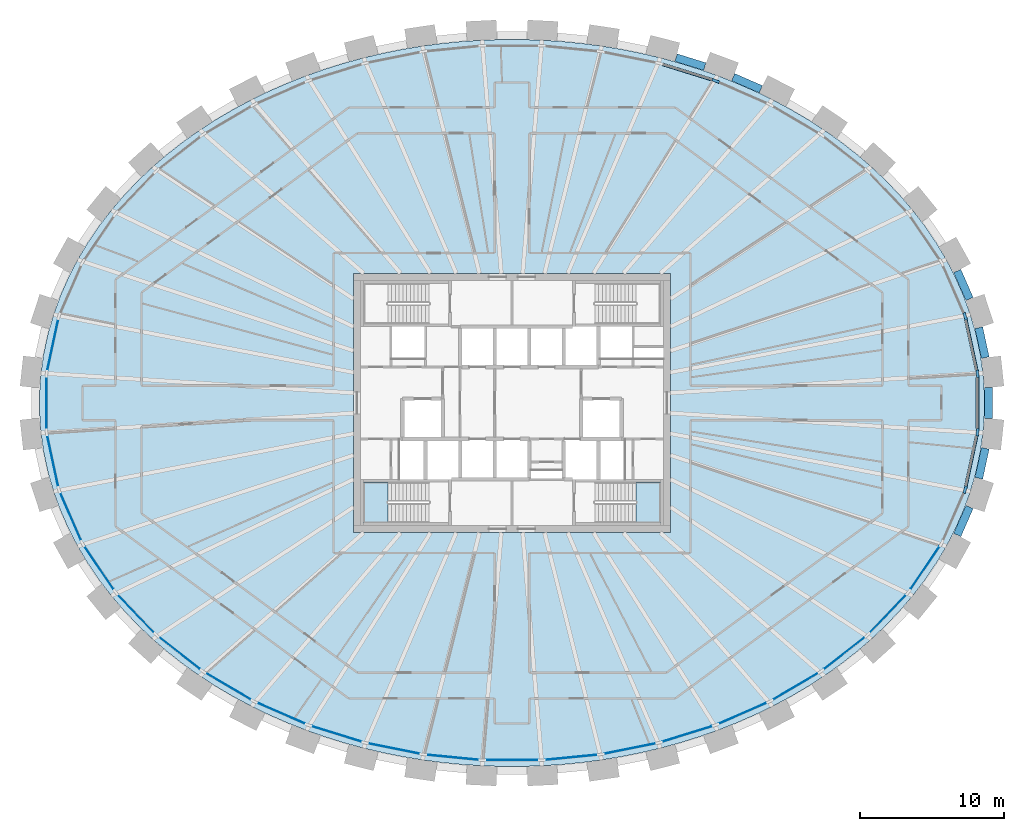
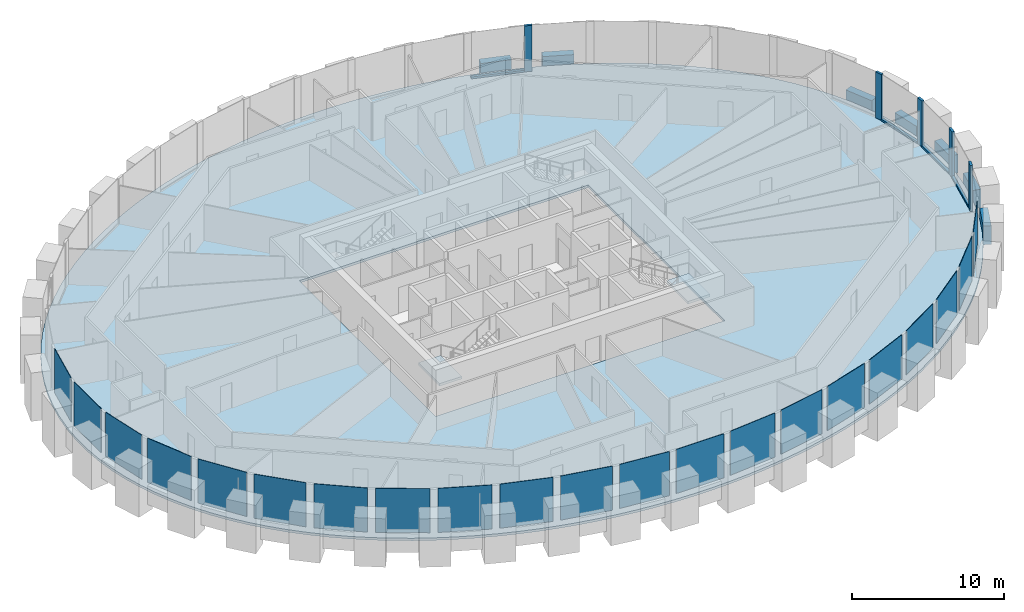
# One storey, part 4 of 12: 21 plates, 9 members, 7 beams, 3 slabs, 3 elements without a shape of their own.
"""IFC4 building model written with IfcOpenShell, lengths in metres."""

from ifc_helpers import new_model, si_unit, direction, frame, origin, origin_2d, place, context, subcontext, project, spatial, polyline, rectangle, outline, extrude, source, transform, mapped, material, layer, layer_set, material_profile, profile_set, type_object, element, aggregate, save


model = new_model("IFC4")

# Units and contexts
model_context = context("Model", 3, precision=1e-05, world=origin(), true_north=direction((0.0, 1.0)))
body_context = subcontext(model_context, "Body", "Model", "MODEL_VIEW")
ifc_project = project(units=[si_unit("LENGTHUNIT", "METRE"), si_unit("AREAUNIT", "SQUARE_METRE"), si_unit("VOLUMEUNIT", "CUBIC_METRE"), si_unit("PLANEANGLEUNIT", "RADIAN"), si_unit("MASSUNIT", "GRAM", prefix="KILO")], contexts=[model_context])

# Site, building, storey
site_placement = place(None, origin())
site = spatial("IfcSite", under=ifc_project, at=site_placement, CompositionType="ELEMENT")
building_placement = place(site_placement, origin())
building = spatial("IfcBuilding", under=site, at=building_placement, Name="Embergate Tower", CompositionType="ELEMENT")
storey_placement = place(building_placement, frame((0.0, 0.0, 250.0)))
storey = spatial("IfcBuildingStorey", under=building, at=storey_placement, Name="L57", CompositionType="ELEMENT", Elevation=250.0)

# Beams
ifc_material_1 = material(Name="Concrete C60", Category="concrete")
ifc_material_profile_1 = material_profile(ifc_material_1, rectangle(XDim=0.550048828125, YDim=1.5, at=origin_2d()), Name="RC 550x1500")
ifc_profile_set_1 = profile_set([ifc_material_profile_1], Name="Concrete C60")
beam_type = type_object("IfcBeamType", Name="Spandrel beam RC 550x1500 C60", PredefinedType="BEAM", material=ifc_profile_set_1)
shared_shape_1 = source(origin(), body_context, "Body", "SweptSolid", [
    extrude(rectangle(XDim=0.550048828125, YDim=1.5, at=origin_2d()), origin(), (0.0, 0.0, 1.0), 2.121337890625),
])
for number, where, z_axis, x_axis, name in (
    (1, (32.845947265625, 3.14892578125, 0.0), (-0.210259959119, 0.977645513257, 0.0), (-0.977645513257, -0.210259959119, 0.0), "SPN-L57-00"),
    (2, (32.39990234375, -5.222900390625, 0.0), (0.210259959119, 0.977645513257, 0.0), (-0.977645513257, 0.210259959119, 0.0), "SPN-L57-42"),
):
    element("IfcBeam", number, at=place(storey_placement, frame(where, z_axis=z_axis, x_axis=x_axis)), inside=storey, type_object=beam_type, Name=name, PredefinedType="BEAM", context=body_context, shape_type="MappedRepresentation", body=[
        mapped(shared_shape_1, transform((0.0, 0.0, 0.0))),
    ])
shared_shape_2 = source(origin(), body_context, "Body", "SweptSolid", [
    extrude(rectangle(XDim=0.550048828125, YDim=1.5, at=origin_2d()), origin(), (0.0, 0.0, 1.0), 2.118408203125),
])
for number, where, z_axis, x_axis, name in (
    (3, (31.75390625, 7.220947265625, 0.0), (-0.401653016285, 0.915791927519, 0.0), (-0.915791927519, -0.401653016285, 0.0), "SPN-L57-01"),
    (4, (30.903076171875, -9.160888671875, 0.0), (0.401653016285, 0.915791927519, 0.0), (-0.915791927519, 0.401653016285, 0.0), "SPN-L57-41"),
):
    element("IfcBeam", number, at=place(storey_placement, frame(where, z_axis=z_axis, x_axis=x_axis)), inside=storey, type_object=beam_type, Name=name, PredefinedType="BEAM", context=body_context, shape_type="MappedRepresentation", body=[
        mapped(shared_shape_2, transform((0.0, 0.0, 0.0))),
    ])
shared_shape_3 = source(origin(), body_context, "Body", "SweptSolid", [
    extrude(rectangle(XDim=0.550048828125, YDim=1.5, at=origin_2d()), origin(), (0.0, 0.0, 1.0), 2.093994140625),
])
beam_1_placement = place(storey_placement, frame((17.26904296875, 21.77587890625, 0.0), z_axis=(-0.916403340616, 0.400256064674, 0.0), x_axis=(-0.400256064674, -0.916403340616, 0.0)))
element("IfcBeam", 5, at=beam_1_placement, inside=storey, type_object=beam_type, Name="SPN-L57-06", PredefinedType="BEAM", context=body_context, shape_type="MappedRepresentation", body=[
    mapped(shared_shape_3, transform((0.0, 0.0, 0.0))),
])
shared_shape_4 = source(origin(), body_context, "Body", "SweptSolid", [
    extrude(rectangle(XDim=0.550048828125, YDim=1.5, at=origin_2d()), origin(), (0.0, 0.0, 1.0), 2.092529296875),
])
beam_2_placement = place(storey_placement, frame((13.383056640625, 23.347900390625, 0.0), z_axis=(-0.954794982035, 0.297265104378, 0.0), x_axis=(-0.297265104378, -0.954794982035, 0.0)))
element("IfcBeam", 6, at=beam_2_placement, inside=storey, type_object=beam_type, Name="SPN-L57-07", PredefinedType="BEAM", context=body_context, shape_type="MappedRepresentation", body=[
    mapped(shared_shape_4, transform((0.0, 0.0, 0.0))),
])
shared_shape_5 = source(origin(), body_context, "Body", "SweptSolid", [
    extrude(rectangle(XDim=0.550048828125, YDim=1.5, at=origin_2d()), origin(), (0.0, 0.0, 1.0), 2.1220703125),
])
beam_3_placement = place(storey_placement, frame((33.068115234375, -1.06103515625, 0.0), z_axis=(0.0, 1.0, 0.0), x_axis=(-1.0, 0.0, 0.0)))
element("IfcBeam", 7, at=beam_3_placement, inside=storey, type_object=beam_type, Name="SPN-L57-43", PredefinedType="BEAM", context=body_context, shape_type="MappedRepresentation", body=[
    mapped(shared_shape_5, transform((0.0, 0.0, 0.0))),
])

# Curtain wall, members
ifc_material_2 = material(Name="Aluminium and glass", Category="aluminium")
curtain_wall_type = type_object("IfcCurtainWallType", Name="Recessed office glazing", PredefinedType="NOTDEFINED", material=ifc_material_2)
curtain_wall_placement = place(storey_placement, origin())
curtain_wall = element("IfcCurtainWall", 8, at=curtain_wall_placement, inside=storey, type_object=curtain_wall_type, Name="Recessed office glazing ring", ObjectType="RECESSED OFFICE GLAZING", PredefinedType="USERDEFINED")
ifc_material_3 = material(Name="Aluminium, thermally broken", Category="aluminium")
ifc_material_profile_2 = material_profile(ifc_material_3, rectangle(XDim=0.179931640625, YDim=0.52001953125, at=origin_2d()), Name="AL 520x180")
ifc_profile_set_2 = profile_set([ifc_material_profile_2], Name="Aluminium, thermally broken")
member_type_1 = type_object("IfcMemberType", Name="Office mullion", PredefinedType="MULLION", material=ifc_profile_set_2)
shared_shape_6 = source(origin(), body_context, "Body", "SweptSolid", [
    extrude(rectangle(XDim=0.179931640625, YDim=0.52001953125, at=origin_2d()), origin(), (0.0, 0.0, 1.0), 3.699951171875),
])
member_1_placement = place(storey_placement, frame((32.304931640625, 2.03515625, 0.0), z_axis=(0.0, 0.0, 1.0), x_axis=(-0.994384585337, -0.105826728403, 0.0)))
member_1 = element("IfcMember", 9, at=member_1_placement, type_object=member_type_1, Name="CW mullion 1", PredefinedType="MULLION", context=body_context, shape_type="MappedRepresentation", body=[
    mapped(shared_shape_6, transform((0.0, 0.0, 0.0))),
])
member_2_placement = place(storey_placement, frame((31.447998046875, 6.01708984375, 0.0), z_axis=(0.0, 0.0, 1.0), x_axis=(-0.951495650128, -0.307662197527, 0.0)))
member_2 = element("IfcMember", 10, at=member_2_placement, type_object=member_type_1, Name="CW mullion 2", PredefinedType="MULLION", context=body_context, shape_type="MappedRepresentation", body=[
    mapped(shared_shape_6, transform((0.0, 0.0, 0.0))),
])
member_3_placement = place(storey_placement, frame((14.1337890625, 22.35595703125, 0.0), z_axis=(0.0, 0.0, 1.0), x_axis=(-0.349502682851, -0.936935363128, 0.0)))
member_3 = element("IfcMember", 11, at=member_3_placement, type_object=member_type_1, Name="CW mullion 8", PredefinedType="MULLION", context=body_context, shape_type="MappedRepresentation", body=[
    mapped(shared_shape_6, transform((0.0, 0.0, 0.0))),
])
member_4_placement = place(storey_placement, frame((31.447998046875, -6.01708984375, 0.0), z_axis=(0.0, 0.0, 1.0), x_axis=(-0.951495650128, 0.307662197527, 0.0)))
member_4 = element("IfcMember", 12, at=member_4_placement, type_object=member_type_1, Name="CW mullion 43", PredefinedType="MULLION", context=body_context, shape_type="MappedRepresentation", body=[
    mapped(shared_shape_6, transform((0.0, 0.0, 0.0))),
])
member_5_placement = place(storey_placement, frame((32.304931640625, -2.03515625, 0.0), z_axis=(0.0, 0.0, 1.0), x_axis=(-0.994384585337, 0.105826728403, 0.0)))
member_5 = element("IfcMember", 13, at=member_5_placement, type_object=member_type_1, Name="CW mullion 44", PredefinedType="MULLION", context=body_context, shape_type="MappedRepresentation", body=[
    mapped(shared_shape_6, transform((0.0, 0.0, 0.0))),
])
ifc_material_profile_3 = material_profile(ifc_material_3, rectangle(XDim=0.179931640625, YDim=0.14990234375, at=origin_2d()), Name="AL 150x180")
ifc_profile_set_3 = profile_set([ifc_material_profile_3], Name="Aluminium, thermally broken")
member_type_2 = type_object("IfcMemberType", Name="Office sill transom", PredefinedType="USERDEFINED", material=ifc_profile_set_3)
shared_shape_7 = source(origin(), body_context, "Body", "SweptSolid", [
    extrude(rectangle(XDim=0.179931640625, YDim=0.14990234375, at=origin_2d()), origin(), (0.0, 0.0, 1.0), 3.552978515625),
])
member_6_placement = place(storey_placement, frame((32.250244140625, 2.289306640625, 0.074951171875), z_axis=(-0.210406550267, 0.977613974739, 0.0), x_axis=(-0.977613974739, -0.210406550267, 0.0)))
member_6 = element("IfcMember", 14, at=member_6_placement, type_object=member_type_2, Name="CW transom 1.1", ObjectType="TRANSOM", PredefinedType="USERDEFINED", context=body_context, shape_type="MappedRepresentation", body=[
    mapped(shared_shape_7, transform((0.0, 0.0, 0.0))),
])
member_7_placement = place(storey_placement, frame((31.502685546875, -5.7626953125, 0.074951171875), z_axis=(0.210406550267, 0.977613974739, 0.0), x_axis=(-0.977613974739, 0.210406550267, 0.0)))
member_7 = element("IfcMember", 15, at=member_7_placement, type_object=member_type_2, Name="CW transom 43.1", ObjectType="TRANSOM", PredefinedType="USERDEFINED", context=body_context, shape_type="MappedRepresentation", body=[
    mapped(shared_shape_7, transform((0.0, 0.0, 0.0))),
])
shared_shape_8 = source(origin(), body_context, "Body", "SweptSolid", [
    extrude(rectangle(XDim=0.179931640625, YDim=0.14990234375, at=origin_2d()), origin(), (0.0, 0.0, 1.0), 3.59814453125),
])
member_8_placement = place(storey_placement, frame((13.8857421875, 22.43310546875, 0.074951171875), z_axis=(-0.954772906147, 0.297336001332, 0.0), x_axis=(-0.297336001332, -0.954772906147, 0.0)))
member_8 = element("IfcMember", 16, at=member_8_placement, type_object=member_type_2, Name="CW transom 8.1", ObjectType="TRANSOM", PredefinedType="USERDEFINED", context=body_context, shape_type="MappedRepresentation", body=[
    mapped(shared_shape_8, transform((0.0, 0.0, 0.0))),
])
shared_shape_9 = source(origin(), body_context, "Body", "SweptSolid", [
    extrude(rectangle(XDim=0.179931640625, YDim=0.14990234375, at=origin_2d()), origin(), (0.0, 0.0, 1.0), 3.55029296875),
])
member_9_placement = place(storey_placement, frame((32.304931640625, -1.775146484375, 0.074951171875), z_axis=(0.0, 1.0, 0.0), x_axis=(-1.0, 0.0, 0.0)))
member_9 = element("IfcMember", 17, at=member_9_placement, type_object=member_type_2, Name="CW transom 44.1", ObjectType="TRANSOM", PredefinedType="USERDEFINED", context=body_context, shape_type="MappedRepresentation", body=[
    mapped(shared_shape_9, transform((0.0, 0.0, 0.0))),
])

# Slab
ifc_material_4 = material(Name="Concrete C40", Category="concrete")
ifc_layer_1 = layer(ifc_material_4, 0.199951171875)
ifc_layer_set_1 = layer_set([ifc_layer_1], Name="Concrete C40")
slab_type_1 = type_object("IfcSlabType", Name="Composite floor slab C40 200", PredefinedType="FLOOR", material=ifc_layer_set_1)
shared_shape_10 = source(origin(), body_context, "Body", "SweptSolid", [
    extrude(outline(polyline([(0.0, 0.0), (1.38818359375, 0.0), (2.774169921875, 0.044921875), (4.1611328125, 0.135009765625), (5.5419921875, 0.27099609375), (6.9140625, 0.4521484375), (8.2880859375, 0.678955078125), (9.648193359375, 0.9521484375), (10.9921875, 1.27001953125), (12.339111328125, 1.636962890625), (13.6640625, 2.050048828125), (14.964111328125, 2.507080078125), (16.26611328125, 3.01806640625), (17.537109375, 3.573974609375), (18.775146484375, 4.173095703125), (20.010986328125, 4.8330078125), (21.20703125, 5.5361328125), (22.360107421875, 6.281005859375), (23.505126953125, 7.093017578125), (24.59814453125, 7.947021484375), (25.63818359375, 8.839111328125), (26.658203125, 9.804931640625), (27.614990234375, 10.80908203125), (28.507080078125, 11.84814453125), (29.362060546875, 12.9619140625), (30.14208984375, 14.109130859375), (30.843994140625, 15.284912109375), (31.488037109375, 16.530029296875), (32.044189453125, 17.800048828125), (32.51318359375, 19.090087890625), (32.900146484375, 20.430908203125), (33.191162109375, 21.7861328125), (33.38720703125, 23.151123046875), (33.486083984375, 24.534912109375), (33.486083984375, 25.921142578125), (33.38720703125, 27.304931640625), (33.191162109375, 28.669921875), (32.900146484375, 30.025146484375), (32.51318359375, 31.365966796875), (32.044189453125, 32.656005859375), (31.488037109375, 33.926025390625), (30.843994140625, 35.171142578125), (30.14208984375, 36.346923828125), (29.362060546875, 37.494140625), (28.507080078125, 38.60791015625), (27.614990234375, 39.64697265625), (26.658203125, 40.651123046875), (25.63818359375, 41.616943359375), (24.59814453125, 42.509033203125), (23.505126953125, 43.363037109375), (22.360107421875, 44.175048828125), (21.20703125, 44.919921875), (20.010986328125, 45.623046875), (18.775146484375, 46.282958984375), (17.537109375, 46.882080078125), (16.26611328125, 47.43798828125), (14.964111328125, 47.948974609375), (13.6640625, 48.406005859375), (12.339111328125, 48.819091796875), (10.9921875, 49.18603515625), (9.648193359375, 49.50390625), (8.2880859375, 49.777099609375), (6.9140625, 50.00390625), (5.5419921875, 50.18505859375), (4.1611328125, 50.321044921875), (2.774169921875, 50.4111328125), (1.38818359375, 50.4560546875), (0.0, 50.4560546875), (-1.385986328125, 50.4111328125), (-2.77294921875, 50.321044921875), (-4.15380859375, 50.18505859375), (-5.52587890625, 50.00390625), (-6.89990234375, 49.777099609375), (-8.260009765625, 49.50390625), (-9.60400390625, 49.18603515625), (-10.950927734375, 48.819091796875), (-12.27587890625, 48.406005859375), (-13.575927734375, 47.948974609375), (-14.8779296875, 47.43798828125), (-16.14892578125, 46.882080078125), (-17.386962890625, 46.282958984375), (-18.622802734375, 45.623046875), (-19.81884765625, 44.919921875), (-20.971923828125, 44.175048828125), (-22.116943359375, 43.363037109375), (-23.2099609375, 42.509033203125), (-24.25, 41.616943359375), (-25.27001953125, 40.651123046875), (-26.226806640625, 39.64697265625), (-27.118896484375, 38.60791015625), (-27.973876953125, 37.494140625), (-28.75390625, 36.346923828125), (-29.455810546875, 35.171142578125), (-30.099853515625, 33.926025390625), (-30.656005859375, 32.656005859375), (-31.125, 31.365966796875), (-31.511962890625, 30.025146484375), (-31.802978515625, 28.669921875), (-31.9990234375, 27.304931640625), (-32.097900390625, 25.921142578125), (-32.097900390625, 24.534912109375), (-31.9990234375, 23.151123046875), (-31.802978515625, 21.7861328125), (-31.511962890625, 20.430908203125), (-31.125, 19.090087890625), (-30.656005859375, 17.800048828125), (-30.099853515625, 16.530029296875), (-29.455810546875, 15.284912109375), (-28.75390625, 14.109130859375), (-27.973876953125, 12.9619140625), (-27.118896484375, 11.84814453125), (-26.226806640625, 10.80908203125), (-25.27001953125, 9.804931640625), (-24.25, 8.839111328125), (-23.2099609375, 7.947021484375), (-22.116943359375, 7.093017578125), (-20.971923828125, 6.281005859375), (-19.81884765625, 5.5361328125), (-18.622802734375, 4.8330078125), (-17.386962890625, 4.173095703125), (-16.14892578125, 3.573974609375), (-14.8779296875, 3.01806640625), (-13.575927734375, 2.507080078125), (-12.27587890625, 2.050048828125), (-10.950927734375, 1.636962890625), (-9.60400390625, 1.27001953125), (-8.260009765625, 0.9521484375), (-6.89990234375, 0.678955078125), (-5.52587890625, 0.4521484375), (-4.15380859375, 0.27099609375), (-2.77294921875, 0.135009765625), (-1.385986328125, 0.044921875), (0.0, 0.0)]), holes=[polyline([(-10.305908203125, 16.22802734375), (-10.305908203125, 34.22802734375), (11.694091796875, 34.22802734375), (11.694091796875, 16.22802734375), (-10.305908203125, 16.22802734375)])]), origin(), (0.0, 0.0, 1.0), 0.199951171875),
])
slab_1_placement = place(storey_placement, frame((-0.694091796875, -25.22802734375, -0.199951171875)))
element("IfcSlab", 18, at=slab_1_placement, inside=storey, type_object=slab_type_1, Name="SLB-L57-00", PredefinedType="FLOOR", context=body_context, shape_type="MappedRepresentation", body=[
    mapped(shared_shape_10, transform((0.0, 0.0, 0.0))),
])

# Plate
ifc_material_5 = material(Name="Triple glazing, low-emissivity coating", Category="glass")
ifc_layer_2 = layer(ifc_material_5, 0.035888671875)
ifc_layer_set_2 = layer_set([ifc_layer_2], Name="Triple glazing, low-emissivity coating")
plate_type = type_object("IfcPlateType", Name="Office glazing unit", PredefinedType="CURTAIN_PANEL", material=ifc_layer_set_2)
shared_shape_11 = source(origin(), body_context, "Body", "SweptSolid", [
    extrude(rectangle(XDim=3.552978515625, YDim=0.035888671875, at=origin_2d()), origin(), (0.0, 0.0, 1.0), 3.550048828125),
])
plate_1_placement = place(storey_placement, frame((-31.87646484375, 4.026123046875, 0.14990234375), z_axis=(0.0, 0.0, 1.0), x_axis=(-0.210398391177, -0.97761573074, 0.0)))
plate_1 = element("IfcPlate", 19, at=plate_1_placement, type_object=plate_type, Name="CW panel 21.1", PredefinedType="CURTAIN_PANEL", context=body_context, shape_type="MappedRepresentation", body=[
    mapped(shared_shape_11, transform((0.0, 0.0, 0.0))),
])

plate_2_placement = place(storey_placement, frame((-31.87646484375, -4.026123046875, 0.14990234375), z_axis=(0.0, 0.0, 1.0), x_axis=(0.210398391177, -0.97761573074, 0.0)))
plate_2 = element("IfcPlate", 20, at=plate_2_placement, type_object=plate_type, Name="CW panel 23.1", PredefinedType="CURTAIN_PANEL", context=body_context, shape_type="MappedRepresentation", body=[
    mapped(shared_shape_11, transform((0.0, 0.0, 0.0))),
])

shared_shape_12 = source(origin(), body_context, "Body", "SweptSolid", [
    extrude(rectangle(XDim=3.559814453125, YDim=0.035888671875, at=origin_2d()), origin(), (0.0, 0.0, 1.0), 3.550048828125),
])
plate_3_placement = place(storey_placement, frame((-30.628662109375, -7.885009765625, 0.14990234375), z_axis=(0.0, 0.0, 1.0), x_axis=(0.401652101157, -0.91579232888, 0.0)))
plate_3 = element("IfcPlate", 21, at=plate_3_placement, type_object=plate_type, Name="CW panel 24.1", PredefinedType="CURTAIN_PANEL", context=body_context, shape_type="MappedRepresentation", body=[
    mapped(shared_shape_12, transform((0.0, 0.0, 0.0))),
])

shared_shape_13 = source(origin(), body_context, "Body", "SweptSolid", [
    extrude(rectangle(XDim=3.568603515625, YDim=0.035888671875, at=origin_2d()), origin(), (0.0, 0.0, 1.0), 3.550048828125),
])
plate_4_placement = place(storey_placement, frame((-28.659912109375, -11.443603515625, 0.14990234375), z_axis=(0.0, 0.0, 1.0), x_axis=(0.562341741915, -0.826904931234, 0.0)))
plate_4 = element("IfcPlate", 22, at=plate_4_placement, type_object=plate_type, Name="CW panel 25.1", PredefinedType="CURTAIN_PANEL", context=body_context, shape_type="MappedRepresentation", body=[
    mapped(shared_shape_13, transform((0.0, 0.0, 0.0))),
])

plate_5_placement = place(storey_placement, frame((28.659912109375, -11.443603515625, 0.14990234375), z_axis=(0.0, 0.0, 1.0), x_axis=(0.562341741915, 0.826904931234, 0.0)))
plate_5 = element("IfcPlate", 23, at=plate_5_placement, type_object=plate_type, Name="CW panel 41.1", PredefinedType="CURTAIN_PANEL", context=body_context, shape_type="MappedRepresentation", body=[
    mapped(shared_shape_13, transform((0.0, 0.0, 0.0))),
])

shared_shape_14 = source(origin(), body_context, "Body", "SweptSolid", [
    extrude(rectangle(XDim=3.576904296875, YDim=0.035888671875, at=origin_2d()), origin(), (0.0, 0.0, 1.0), 3.550048828125),
])
plate_6_placement = place(storey_placement, frame((-26.096435546875, -14.616455078125, 0.14990234375), z_axis=(0.0, 0.0, 1.0), x_axis=(0.690133784465, -0.723681808215, 0.0)))
plate_6 = element("IfcPlate", 24, at=plate_6_placement, type_object=plate_type, Name="CW panel 26.1", PredefinedType="CURTAIN_PANEL", context=body_context, shape_type="MappedRepresentation", body=[
    mapped(shared_shape_14, transform((0.0, 0.0, 0.0))),
])

plate_7_placement = place(storey_placement, frame((26.096435546875, -14.616455078125, 0.14990234375), z_axis=(0.0, 0.0, 1.0), x_axis=(0.690133784465, 0.723681808215, 0.0)))
plate_7 = element("IfcPlate", 25, at=plate_7_placement, type_object=plate_type, Name="CW panel 40.1", PredefinedType="CURTAIN_PANEL", context=body_context, shape_type="MappedRepresentation", body=[
    mapped(shared_shape_14, transform((0.0, 0.0, 0.0))),
])

shared_shape_15 = source(origin(), body_context, "Body", "SweptSolid", [
    extrude(rectangle(XDim=3.584228515625, YDim=0.035888671875, at=origin_2d()), origin(), (0.0, 0.0, 1.0), 3.550048828125),
])
plate_8_placement = place(storey_placement, frame((-23.06494140625, -17.361572265625, 0.14990234375), z_axis=(0.0, 0.0, 1.0), x_axis=(0.788319045413, -0.615266676035, 0.0)))
plate_8 = element("IfcPlate", 26, at=plate_8_placement, type_object=plate_type, Name="CW panel 27.1", PredefinedType="CURTAIN_PANEL", context=body_context, shape_type="MappedRepresentation", body=[
    mapped(shared_shape_15, transform((0.0, 0.0, 0.0))),
])

plate_9_placement = place(storey_placement, frame((23.06494140625, -17.361572265625, 0.14990234375), z_axis=(0.0, 0.0, 1.0), x_axis=(0.788319045413, 0.615266676035, 0.0)))
plate_9 = element("IfcPlate", 27, at=plate_9_placement, type_object=plate_type, Name="CW panel 39.1", PredefinedType="CURTAIN_PANEL", context=body_context, shape_type="MappedRepresentation", body=[
    mapped(shared_shape_15, transform((0.0, 0.0, 0.0))),
])

shared_shape_16 = source(origin(), body_context, "Body", "SweptSolid", [
    extrude(rectangle(XDim=3.590087890625, YDim=0.035888671875, at=origin_2d()), origin(), (0.0, 0.0, 1.0), 3.550048828125),
])
plate_10_placement = place(storey_placement, frame((-19.675537109375, -19.665771484375, 0.14990234375), z_axis=(0.0, 0.0, 1.0), x_axis=(0.862051398678, -0.50682086188, 0.0)))
plate_10 = element("IfcPlate", 28, at=plate_10_placement, type_object=plate_type, Name="CW panel 28.1", PredefinedType="CURTAIN_PANEL", context=body_context, shape_type="MappedRepresentation", body=[
    mapped(shared_shape_16, transform((0.0, 0.0, 0.0))),
])

plate_11_placement = place(storey_placement, frame((19.675537109375, -19.665771484375, 0.14990234375), z_axis=(0.0, 0.0, 1.0), x_axis=(0.862051398678, 0.50682086188, 0.0)))
plate_11 = element("IfcPlate", 29, at=plate_11_placement, type_object=plate_type, Name="CW panel 38.1", PredefinedType="CURTAIN_PANEL", context=body_context, shape_type="MappedRepresentation", body=[
    mapped(shared_shape_16, transform((0.0, 0.0, 0.0))),
])

shared_shape_17 = source(origin(), body_context, "Body", "SweptSolid", [
    extrude(rectangle(XDim=3.5947265625, YDim=0.035888671875, at=origin_2d()), origin(), (0.0, 0.0, 1.0), 3.550048828125),
])
plate_12_placement = place(storey_placement, frame((-16.01904296875, -21.531494140625, 0.14990234375), z_axis=(0.0, 0.0, 1.0), x_axis=(0.916234813243, -0.400641694037, 0.0)))
plate_12 = element("IfcPlate", 30, at=plate_12_placement, type_object=plate_type, Name="CW panel 29.1", PredefinedType="CURTAIN_PANEL", context=body_context, shape_type="MappedRepresentation", body=[
    mapped(shared_shape_17, transform((0.0, 0.0, 0.0))),
])

plate_13_placement = place(storey_placement, frame((16.01904296875, -21.531494140625, 0.14990234375), z_axis=(0.0, 0.0, 1.0), x_axis=(0.916234813243, 0.400641694037, 0.0)))
plate_13 = element("IfcPlate", 31, at=plate_13_placement, type_object=plate_type, Name="CW panel 37.1", PredefinedType="CURTAIN_PANEL", context=body_context, shape_type="MappedRepresentation", body=[
    mapped(shared_shape_17, transform((0.0, 0.0, 0.0))),
])

shared_shape_18 = source(origin(), body_context, "Body", "SweptSolid", [
    extrude(rectangle(XDim=3.597900390625, YDim=0.035888671875, at=origin_2d()), origin(), (0.0, 0.0, 1.0), 3.550048828125),
])
plate_14_placement = place(storey_placement, frame((-12.168212890625, -22.968017578125, 0.14990234375), z_axis=(0.0, 0.0, 1.0), x_axis=(0.954771179262, -0.297341546458, 0.0)))
plate_14 = element("IfcPlate", 32, at=plate_14_placement, type_object=plate_type, Name="CW panel 30.1", PredefinedType="CURTAIN_PANEL", context=body_context, shape_type="MappedRepresentation", body=[
    mapped(shared_shape_18, transform((0.0, 0.0, 0.0))),
])

plate_15_placement = place(storey_placement, frame((12.168212890625, -22.968017578125, 0.14990234375), z_axis=(0.0, 0.0, 1.0), x_axis=(0.954771179262, 0.297341546458, 0.0)))
plate_15 = element("IfcPlate", 33, at=plate_15_placement, type_object=plate_type, Name="CW panel 36.1", PredefinedType="CURTAIN_PANEL", context=body_context, shape_type="MappedRepresentation", body=[
    mapped(shared_shape_18, transform((0.0, 0.0, 0.0))),
])

shared_shape_19 = source(origin(), body_context, "Body", "SweptSolid", [
    extrude(rectangle(XDim=3.60009765625, YDim=0.035888671875, at=origin_2d()), origin(), (0.0, 0.0, 1.0), 3.550048828125),
])
plate_16_placement = place(storey_placement, frame((-8.182373046875, -23.9853515625, 0.14990234375), z_axis=(0.0, 0.0, 1.0), x_axis=(0.980475564207, -0.196640962142, 0.0)))
plate_16 = element("IfcPlate", 34, at=plate_16_placement, type_object=plate_type, Name="CW panel 31.1", PredefinedType="CURTAIN_PANEL", context=body_context, shape_type="MappedRepresentation", body=[
    mapped(shared_shape_19, transform((0.0, 0.0, 0.0))),
])

plate_17_placement = place(storey_placement, frame((8.182373046875, -23.9853515625, 0.14990234375), z_axis=(0.0, 0.0, 1.0), x_axis=(0.980475564207, 0.196640962142, 0.0)))
plate_17 = element("IfcPlate", 35, at=plate_17_placement, type_object=plate_type, Name="CW panel 35.1", PredefinedType="CURTAIN_PANEL", context=body_context, shape_type="MappedRepresentation", body=[
    mapped(shared_shape_19, transform((0.0, 0.0, 0.0))),
])

shared_shape_20 = source(origin(), body_context, "Body", "SweptSolid", [
    extrude(rectangle(XDim=3.601318359375, YDim=0.035888671875, at=origin_2d()), origin(), (0.0, 0.0, 1.0), 3.550048828125),
])
plate_18_placement = place(storey_placement, frame((-4.11181640625, -24.592041015625, 0.14990234375), z_axis=(0.0, 0.0, 1.0), x_axis=(0.995203184788, -0.097829550688, 0.0)))
plate_18 = element("IfcPlate", 36, at=plate_18_placement, type_object=plate_type, Name="CW panel 32.1", PredefinedType="CURTAIN_PANEL", context=body_context, shape_type="MappedRepresentation", body=[
    mapped(shared_shape_20, transform((0.0, 0.0, 0.0))),
])

plate_19_placement = place(storey_placement, frame((4.11181640625, -24.592041015625, 0.14990234375), z_axis=(0.0, 0.0, 1.0), x_axis=(0.995203184788, 0.097829550688, 0.0)))
plate_19 = element("IfcPlate", 37, at=plate_19_placement, type_object=plate_type, Name="CW panel 34.1", PredefinedType="CURTAIN_PANEL", context=body_context, shape_type="MappedRepresentation", body=[
    mapped(shared_shape_20, transform((0.0, 0.0, 0.0))),
])

shared_shape_21 = source(origin(), body_context, "Body", "SweptSolid", [
    extrude(rectangle(XDim=3.601806640625, YDim=0.035888671875, at=origin_2d()), origin(), (0.0, 0.0, 1.0), 3.550048828125),
])
plate_20_placement = place(storey_placement, frame((0.0, -24.793701171875, 0.14990234375), z_axis=(0.0, 0.0, 1.0), x_axis=(1.0, 0.0, 0.0)))
plate_20 = element("IfcPlate", 38, at=plate_20_placement, type_object=plate_type, Name="CW panel 33.1", PredefinedType="CURTAIN_PANEL", context=body_context, shape_type="MappedRepresentation", body=[
    mapped(shared_shape_21, transform((0.0, 0.0, 0.0))),
])

shared_shape_22 = source(origin(), body_context, "Body", "SweptSolid", [
    extrude(rectangle(XDim=3.55029296875, YDim=0.035888671875, at=origin_2d()), origin(), (0.0, 0.0, 1.0), 3.550048828125),
])
plate_21_placement = place(storey_placement, frame((-32.304931640625, 0.0, 0.14990234375), z_axis=(0.0, 0.0, 1.0), x_axis=(0.0, -1.0, 0.0)))
plate_21 = element("IfcPlate", 39, at=plate_21_placement, type_object=plate_type, Name="CW panel 22.1", PredefinedType="CURTAIN_PANEL", context=body_context, shape_type="MappedRepresentation", body=[
    mapped(shared_shape_22, transform((0.0, 0.0, 0.0))),
])

aggregate(curtain_wall, [member_1, member_2, member_3, member_4, member_5, member_6, member_8, plate_1, plate_21, plate_2, plate_3, plate_4, plate_6, plate_8, plate_10, plate_12, plate_14, plate_16, plate_18, plate_20, plate_19, plate_17, plate_15, plate_13, plate_11, plate_9, plate_7, plate_5, member_7, member_9])

# Stair, slab
ifc_material_6 = material(Name="Exit stair")
stair_type = type_object("IfcStairType", Name="Exit stair", PredefinedType="HALF_TURN_STAIR", material=ifc_material_6)
stair_1_placement = place(storey_placement, origin())
stair_1 = element("IfcStair", 40, at=stair_1_placement, inside=storey, type_object=stair_type, Name="L57 Exit stair 3", PredefinedType="HALF_TURN_STAIR")
ifc_layer_3 = layer(ifc_material_4, 0.199951171875)
ifc_layer_set_3 = layer_set([ifc_layer_3], Name="Concrete C40")
slab_type_2 = type_object("IfcSlabType", Name="Stair landing reinforced concrete", PredefinedType="LANDING", material=ifc_layer_set_3)
shared_shape_23 = source(origin(), body_context, "Body", "SweptSolid", [
    extrude(outline(polyline([(0.0, 0.0), (1.68994140625, 0.0), (1.68994140625, 2.800048828125), (0.0, 2.800048828125), (0.0, 0.0)])), origin(), (0.0, 0.0, 1.0), 0.199951171875),
])
slab_2_placement = place(storey_placement, frame((-10.300048828125, -8.300048828125, 1.75)))
slab_2 = element("IfcSlab", 41, at=slab_2_placement, type_object=slab_type_2, Name="ST3 landing 1", PredefinedType="LANDING", context=body_context, shape_type="MappedRepresentation", body=[
    mapped(shared_shape_23, transform((0.0, 0.0, 0.0))),
])
aggregate(stair_1, [slab_2])

stair_2_placement = place(storey_placement, origin())
stair_2 = element("IfcStair", 42, at=stair_2_placement, inside=storey, type_object=stair_type, Name="L57 Exit stair 4", PredefinedType="HALF_TURN_STAIR")
slab_3_placement = place(storey_placement, frame((8.610107421875, -8.300048828125, 1.75)))
slab_3 = element("IfcSlab", 43, at=slab_3_placement, type_object=slab_type_2, Name="ST4 landing 1", PredefinedType="LANDING", context=body_context, shape_type="MappedRepresentation", body=[
    mapped(shared_shape_23, transform((0.0, 0.0, 0.0))),
])
aggregate(stair_2, [slab_3])

save(model, "model.ifc")
